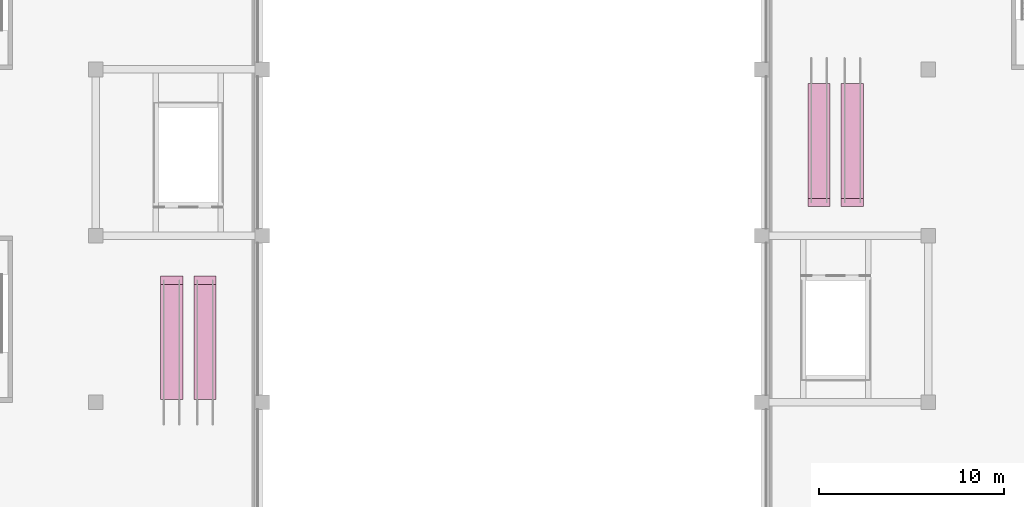
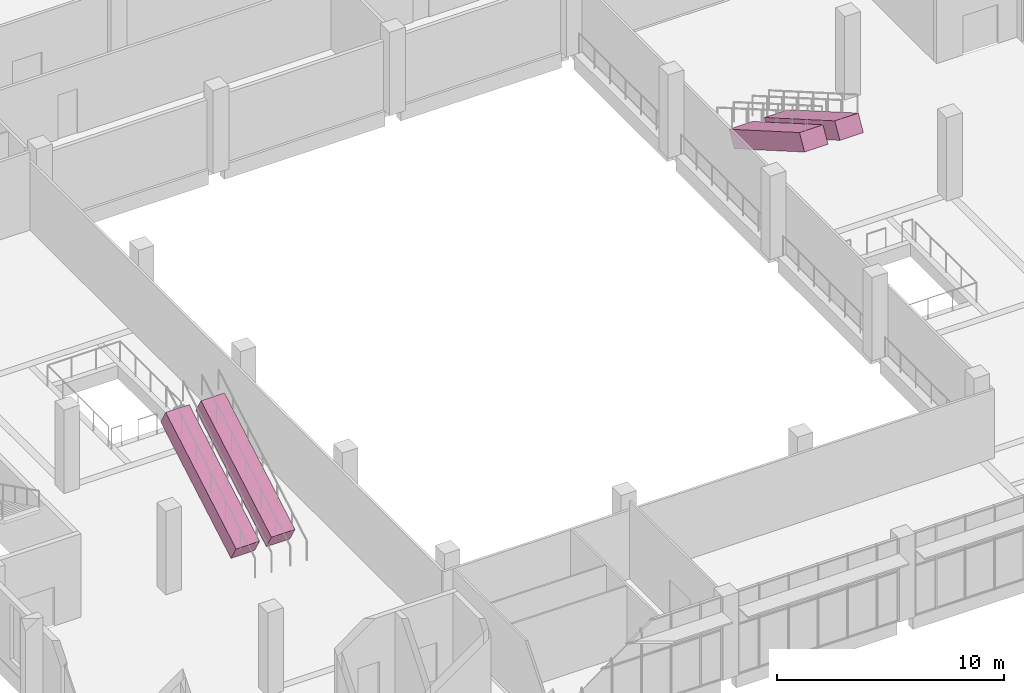
# One storey, part 79 of 79: 4 transport elements.
"""IFC4 building model written with IfcOpenShell, lengths in metres."""

from ifc_helpers import new_model, si_unit, direction, frame, origin, origin_2d, place, context, subcontext, project, spatial, rectangle, extrude, material, material_profile, profile_set, type_object, element, save


model = new_model("IFC4")

# Units and contexts
model_context = context("Model", 3, precision=1e-05, world=origin(), true_north=direction((0.0, 1.0)))
body_context = subcontext(model_context, "Body", "Model", "MODEL_VIEW")
ifc_project = project(units=[si_unit("LENGTHUNIT", "METRE"), si_unit("AREAUNIT", "SQUARE_METRE"), si_unit("VOLUMEUNIT", "CUBIC_METRE"), si_unit("PLANEANGLEUNIT", "RADIAN"), si_unit("MASSUNIT", "GRAM", prefix="KILO")], contexts=[model_context])

# Site, building, storey
site_placement = place(None, origin())
site = spatial("IfcSite", under=ifc_project, at=site_placement, CompositionType="ELEMENT")
building_placement = place(site_placement, origin())
building = spatial("IfcBuilding", under=site, at=building_placement, Name="Guidao Yard Department Store", CompositionType="ELEMENT")
storey_placement = place(building_placement, frame((0.0, 0.0, 15.0)))
storey = spatial("IfcBuildingStorey", under=building, at=storey_placement, Name="L03", CompositionType="ELEMENT", Elevation=15.0)

# Transport elements
ifc_material = material(Name="Steel Q235", Category="steel")
ifc_material_profile = material_profile(ifc_material, rectangle(XDim=1.199951171875, YDim=0.89990234375, at=origin_2d()), Name="Escalator 800 step 30 degrees")
ifc_profile_set = profile_set([ifc_material_profile], Name="Steel Q235")
transport_element_type = type_object("IfcTransportElementType", Name="Escalator 800 step 30 degrees", PredefinedType="ESCALATOR", material=ifc_profile_set)
for number, where, z_axis, x_axis, name in (
    (1, (13.10009765625, 63.375, 0.3896484375), (0.0, 0.866008376869, 0.500029490323), (-1.0, 0.0, 0.0), "Escalator EH7 up"),
    (2, (14.89990234375, 63.375, 0.3896484375), (0.0, 0.866008376869, 0.500029490323), (-1.0, 0.0, 0.0), "Escalator EH7 down"),
    (3, (48.10009765625, 80.02490234375, 0.3896484375), (0.0, -0.866008376869, 0.500029490323), (1.0, 0.0, 0.0), "Escalator EH8 up"),
    (4, (49.89990234375, 80.02490234375, 0.3896484375), (0.0, -0.866008376869, 0.500029490323), (1.0, 0.0, 0.0), "Escalator EH8 down"),
):
    element("IfcTransportElement", number, at=place(storey_placement, frame(where, z_axis=z_axis, x_axis=x_axis)), inside=storey, type_object=transport_element_type, Name=name, PredefinedType="ESCALATOR", context=body_context, shape_type="SweptSolid", body=[
        extrude(rectangle(XDim=1.199951171875, YDim=0.89990234375, at=origin_2d()), origin(), (0.0, 0.0, 1.0), 7.18115234375),
    ])

save(model, "model.ifc")
